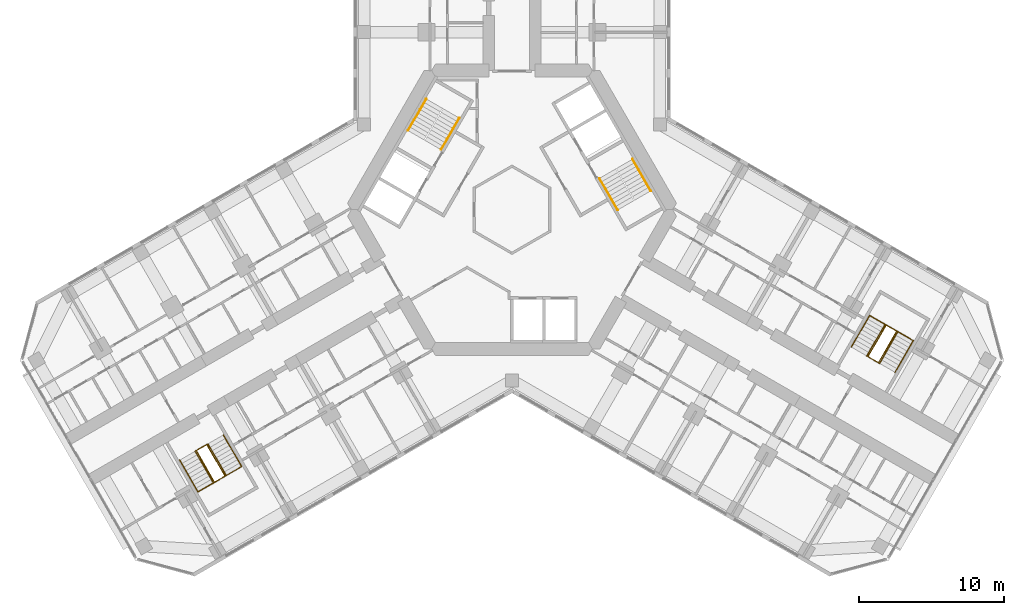
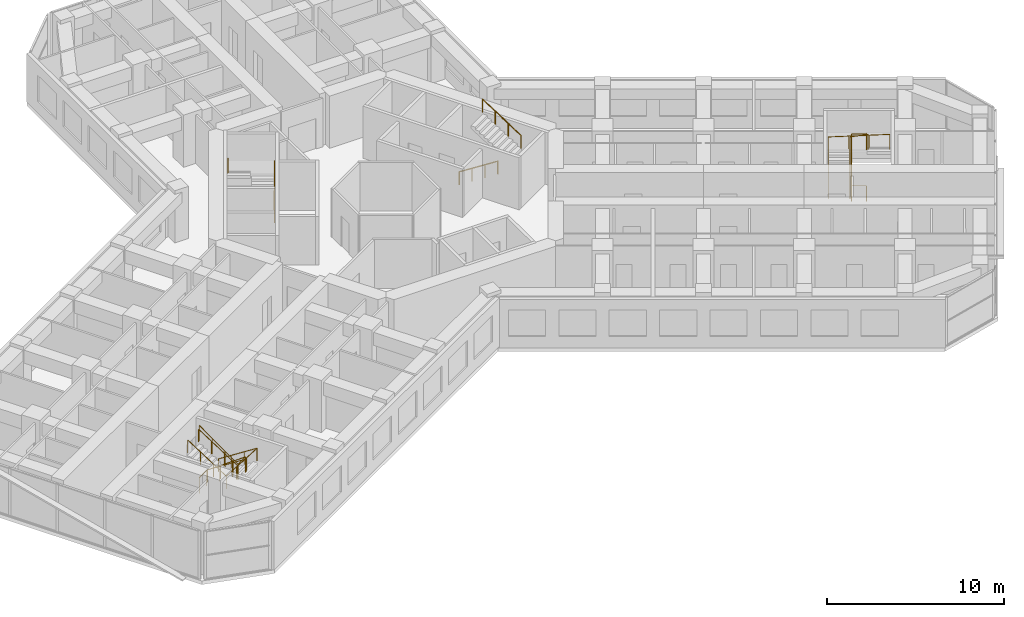
# One storey, part 19 of 19: 10 railings.
"""IFC4 building model written with IfcOpenShell, lengths in metres."""

from ifc_helpers import new_model, si_unit, direction, frame, origin, origin_2d, place, context, subcontext, project, spatial, circle, extrude, material, type_object, element, save


model = new_model("IFC4")

# Units and contexts
model_context = context("Model", 3, precision=1e-05, world=origin(), true_north=direction((0.0, 1.0)))
body_context = subcontext(model_context, "Body", "Model", "MODEL_VIEW")
ifc_project = project(units=[si_unit("LENGTHUNIT", "METRE"), si_unit("AREAUNIT", "SQUARE_METRE"), si_unit("VOLUMEUNIT", "CUBIC_METRE"), si_unit("PLANEANGLEUNIT", "RADIAN"), si_unit("MASSUNIT", "GRAM", prefix="KILO")], contexts=[model_context])

# Site, building, storey
site_placement = place(None, origin())
site = spatial("IfcSite", under=ifc_project, at=site_placement, CompositionType="ELEMENT")
building_placement = place(site_placement, origin())
building = spatial("IfcBuilding", under=site, at=building_placement, Name="Kosmar Iwan School Tower", CompositionType="ELEMENT")
storey_placement = place(building_placement, frame((0.0, 0.0, 158.0)))
storey = spatial("IfcBuildingStorey", under=building, at=storey_placement, Name="L39", CompositionType="ELEMENT", Elevation=158.0)

# Railings
ifc_material_1 = material(Name="Black steel", Category="steel")
railing_type_1 = type_object("IfcRailingType", Name="Stair handrail 900", PredefinedType="HANDRAIL", material=ifc_material_1)
railing_1_placement = place(storey_placement, frame((-4.89453125, 4.142333984375, 0.179931640625)))
element("IfcRailing", 1, at=railing_1_placement, inside=storey, type_object=railing_type_1, Name="Handrail ST2 flight 1", PredefinedType="HANDRAIL", context=body_context, shape_type="SweptSolid", body=[
    extrude(circle(Radius=0.02392578125, at=origin_2d()), frame((0.0, 0.0, 0.8759765625), z_axis=(0.420584145978, 0.728463801763, 0.540785970299), x_axis=(-0.866022637375, 0.500004791531, 0.0)), (0.0, 0.0, 1.0), 2.995849609375),
    extrude(circle(Radius=0.02099609375, at=origin_2d()), origin(), (0.0, 0.0, 1.0), 0.851806640625),
    extrude(circle(Radius=0.02099609375, at=origin_2d()), frame((0.419921875, 0.7275390625, 0.5400390625)), (0.0, 0.0, 1.0), 0.851806640625),
    extrude(circle(Radius=0.02099609375, at=origin_2d()), frame((0.840087890625, 1.454833984375, 1.080078125)), (0.0, 0.0, 1.0), 0.851806640625),
    extrude(circle(Radius=0.02099609375, at=origin_2d()), frame((1.260009765625, 2.182373046875, 1.6201171875)), (0.0, 0.0, 1.0), 0.851806640625),
])
railing_2_placement = place(storey_placement, frame((-5.912353515625, 7.6396484375, 1.97998046875)))
element("IfcRailing", 2, at=railing_2_placement, inside=storey, type_object=railing_type_1, Name="Handrail ST2 flight 2", PredefinedType="HANDRAIL", context=body_context, shape_type="SweptSolid", body=[
    extrude(circle(Radius=0.02392578125, at=origin_2d()), frame((0.0, 0.0, 0.8759765625), z_axis=(-0.420584145978, -0.728463801763, 0.540785970299), x_axis=(0.866022637375, -0.500004791531, 0.0)), (0.0, 0.0, 1.0), 2.995849609375),
    extrude(circle(Radius=0.02099609375, at=origin_2d()), origin(), (0.0, 0.0, 1.0), 0.851806640625),
    extrude(circle(Radius=0.02099609375, at=origin_2d()), frame((-0.419921875, -0.7275390625, 0.5400390625)), (0.0, 0.0, 1.0), 0.851806640625),
    extrude(circle(Radius=0.02099609375, at=origin_2d()), frame((-0.840087890625, -1.454833984375, 1.080078125)), (0.0, 0.0, 1.0), 0.851806640625),
    extrude(circle(Radius=0.02099609375, at=origin_2d()), frame((-1.260009765625, -2.182373046875, 1.6201171875)), (0.0, 0.0, 1.0), 0.851806640625),
])
railing_3_placement = place(storey_placement, frame((6.03466796875, 2.167724609375, 0.179931640625)))
element("IfcRailing", 3, at=railing_3_placement, inside=storey, type_object=railing_type_1, Name="Handrail ST1 flight 1", PredefinedType="HANDRAIL", context=body_context, shape_type="SweptSolid", body=[
    extrude(circle(Radius=0.02392578125, at=origin_2d()), frame((0.0, 0.0, 0.8759765625), z_axis=(0.420584145978, -0.728463801763, 0.540785970299), x_axis=(0.866022637375, 0.500004791531, 0.0)), (0.0, 0.0, 1.0), 2.995849609375),
    extrude(circle(Radius=0.02099609375, at=origin_2d()), origin(), (0.0, 0.0, 1.0), 0.851806640625),
    extrude(circle(Radius=0.02099609375, at=origin_2d()), frame((0.419921875, -0.7275390625, 0.5400390625)), (0.0, 0.0, 1.0), 0.851806640625),
    extrude(circle(Radius=0.02099609375, at=origin_2d()), frame((0.840087890625, -1.454833984375, 1.080078125)), (0.0, 0.0, 1.0), 0.851806640625),
    extrude(circle(Radius=0.02099609375, at=origin_2d()), frame((1.260009765625, -2.182373046875, 1.6201171875)), (0.0, 0.0, 1.0), 0.851806640625),
])
railing_4_placement = place(storey_placement, frame((9.572265625, 1.30029296875, 1.97998046875)))
element("IfcRailing", 4, at=railing_4_placement, inside=storey, type_object=railing_type_1, Name="Handrail ST1 flight 2", PredefinedType="HANDRAIL", context=body_context, shape_type="SweptSolid", body=[
    extrude(circle(Radius=0.02392578125, at=origin_2d()), frame((0.0, 0.0, 0.8759765625), z_axis=(-0.420584145978, 0.728463801763, 0.540785970299), x_axis=(-0.866022637375, -0.500004791531, 0.0)), (0.0, 0.0, 1.0), 2.995849609375),
    extrude(circle(Radius=0.02099609375, at=origin_2d()), origin(), (0.0, 0.0, 1.0), 0.851806640625),
    extrude(circle(Radius=0.02099609375, at=origin_2d()), frame((-0.419921875, 0.7275390625, 0.5400390625)), (0.0, 0.0, 1.0), 0.851806640625),
    extrude(circle(Radius=0.02099609375, at=origin_2d()), frame((-0.840087890625, 1.454833984375, 1.080078125)), (0.0, 0.0, 1.0), 0.851806640625),
    extrude(circle(Radius=0.02099609375, at=origin_2d()), frame((-1.260009765625, 2.182373046875, 1.6201171875)), (0.0, 0.0, 1.0), 0.851806640625),
])
railing_5_placement = place(storey_placement, frame((-19.9091796875, -15.5361328125, 0.179931640625)))
element("IfcRailing", 5, at=railing_5_placement, inside=storey, type_object=railing_type_1, Name="Handrail stair WS2 L39 wall side", PredefinedType="HANDRAIL", context=body_context, shape_type="SweptSolid", body=[
    extrude(circle(Radius=0.02392578125, at=origin_2d()), frame((0.0, 0.0, 0.8759765625), z_axis=(0.420517065106, -0.728488768407, 0.540804504659), x_axis=(0.866064587494, 0.499932125682, 0.0)), (0.0, 0.0, 1.0), 2.995849609375),
    extrude(circle(Radius=0.02392578125, at=origin_2d()), frame((1.259765625, -2.182373046875, 2.49609375), z_axis=(-0.864864352349, -0.499342858003, 0.051636829851), x_axis=(0.500009906705, -0.86601968407, 0.0)), (0.0, 0.0, 1.0), 3.484619140625),
    extrude(circle(Radius=0.02392578125, at=origin_2d()), frame((-1.75390625, -3.92236328125, 2.67578125), z_axis=(-0.420584145978, 0.728463801763, 0.540785970299), x_axis=(-0.866022637375, -0.500004791531, 0.0)), (0.0, 0.0, 1.0), 2.995849609375),
    extrude(circle(Radius=0.02099609375, at=origin_2d()), origin(), (0.0, 0.0, 1.0), 0.851806640625),
    extrude(circle(Radius=0.02099609375, at=origin_2d()), frame((0.419921875, -0.7275390625, 0.5400390625)), (0.0, 0.0, 1.0), 0.851806640625),
    extrude(circle(Radius=0.02099609375, at=origin_2d()), frame((0.83984375, -1.454833984375, 1.080078125)), (0.0, 0.0, 1.0), 0.851806640625),
    extrude(circle(Radius=0.02099609375, at=origin_2d()), frame((1.259765625, -2.182373046875, 1.6201171875)), (0.0, 0.0, 1.0), 0.851806640625),
    extrude(circle(Radius=0.02099609375, at=origin_2d()), frame((0.255126953125, -2.762451171875, 1.68017578125)), (0.0, 0.0, 1.0), 0.851806640625),
    extrude(circle(Radius=0.02099609375, at=origin_2d()), frame((-0.749267578125, -3.34228515625, 1.739990234375)), (0.0, 0.0, 1.0), 0.851806640625),
    extrude(circle(Radius=0.02099609375, at=origin_2d()), frame((-1.75390625, -3.92236328125, 1.800048828125)), (0.0, 0.0, 1.0), 0.851806640625),
    extrude(circle(Radius=0.02099609375, at=origin_2d()), frame((-2.173828125, -3.19482421875, 2.340087890625)), (0.0, 0.0, 1.0), 0.851806640625),
    extrude(circle(Radius=0.02099609375, at=origin_2d()), frame((-2.593994140625, -2.467529296875, 2.880126953125)), (0.0, 0.0, 1.0), 0.851806640625),
    extrude(circle(Radius=0.02099609375, at=origin_2d()), frame((-3.013916015625, -1.739990234375, 3.420166015625)), (0.0, 0.0, 1.0), 0.851806640625),
])
railing_6_placement = place(storey_placement, frame((-20.974609375, -16.151123046875, 0.179931640625)))
element("IfcRailing", 6, at=railing_6_placement, inside=storey, type_object=railing_type_1, Name="Handrail stair WS2 L39 well side", PredefinedType="HANDRAIL", context=body_context, shape_type="SweptSolid", body=[
    extrude(circle(Radius=0.02392578125, at=origin_2d()), frame((0.0, 0.0, 0.8759765625), z_axis=(0.420584145978, -0.728463801763, 0.540785970299), x_axis=(0.866022637375, 0.500004791531, 0.0)), (0.0, 0.0, 1.0), 2.995849609375),
    extrude(circle(Radius=0.02392578125, at=origin_2d()), frame((1.260009765625, -2.182373046875, 2.49609375), z_axis=(-0.852841519511, -0.492422867401, 0.173726976197), x_axis=(0.500026340207, -0.866010195725, 0.0)), (0.0, 0.0, 1.0), 1.03564453125),
    extrude(circle(Radius=0.02392578125, at=origin_2d()), frame((0.376708984375, -2.6923828125, 2.67578125), z_axis=(-0.420584145978, 0.728463801763, 0.540785970299), x_axis=(-0.866022637375, -0.500004791531, 0.0)), (0.0, 0.0, 1.0), 2.995849609375),
    extrude(circle(Radius=0.02099609375, at=origin_2d()), origin(), (0.0, 0.0, 1.0), 0.851806640625),
    extrude(circle(Radius=0.02099609375, at=origin_2d()), frame((0.419921875, -0.7275390625, 0.5400390625)), (0.0, 0.0, 1.0), 0.851806640625),
    extrude(circle(Radius=0.02099609375, at=origin_2d()), frame((0.840087890625, -1.454833984375, 1.080078125)), (0.0, 0.0, 1.0), 0.851806640625),
    extrude(circle(Radius=0.02099609375, at=origin_2d()), frame((1.260009765625, -2.182373046875, 1.6201171875)), (0.0, 0.0, 1.0), 0.851806640625),
    extrude(circle(Radius=0.02099609375, at=origin_2d()), frame((0.376708984375, -2.6923828125, 1.800048828125)), (0.0, 0.0, 1.0), 0.851806640625),
    extrude(circle(Radius=0.02099609375, at=origin_2d()), frame((-0.043212890625, -1.96484375, 2.340087890625)), (0.0, 0.0, 1.0), 0.851806640625),
    extrude(circle(Radius=0.02099609375, at=origin_2d()), frame((-0.46337890625, -1.237548828125, 2.880126953125)), (0.0, 0.0, 1.0), 0.851806640625),
    extrude(circle(Radius=0.02099609375, at=origin_2d()), frame((-0.88330078125, -0.510009765625, 3.420166015625)), (0.0, 0.0, 1.0), 0.851806640625),
])
railing_7_placement = place(storey_placement, frame((23.4091796875, -9.473876953125, 0.179931640625)))
element("IfcRailing", 7, at=railing_7_placement, inside=storey, type_object=railing_type_1, Name="Handrail stair WS3 L39 wall side", PredefinedType="HANDRAIL", context=body_context, shape_type="SweptSolid", body=[
    extrude(circle(Radius=0.02392578125, at=origin_2d()), frame((0.0, 0.0, 0.8759765625), z_axis=(0.420584145978, 0.728463801763, 0.540785970299), x_axis=(-0.866022637375, 0.500004791531, 0.0)), (0.0, 0.0, 1.0), 2.995849609375),
    extrude(circle(Radius=0.02392578125, at=origin_2d()), frame((1.260009765625, 2.182373046875, 2.49609375), z_axis=(0.864882007433, -0.499312601618, 0.051633701051), x_axis=(0.499979528911, 0.866037222451, 0.0)), (0.0, 0.0, 1.0), 3.48486328125),
    extrude(circle(Radius=0.02392578125, at=origin_2d()), frame((4.27392578125, 0.4423828125, 2.67578125), z_axis=(-0.420584145978, -0.728463801763, 0.540785970299), x_axis=(0.866022637375, -0.500004791531, 0.0)), (0.0, 0.0, 1.0), 2.995849609375),
    extrude(circle(Radius=0.02099609375, at=origin_2d()), origin(), (0.0, 0.0, 1.0), 0.851806640625),
    extrude(circle(Radius=0.02099609375, at=origin_2d()), frame((0.419921875, 0.7275390625, 0.5400390625)), (0.0, 0.0, 1.0), 0.851806640625),
    extrude(circle(Radius=0.02099609375, at=origin_2d()), frame((0.840087890625, 1.454833984375, 1.080078125)), (0.0, 0.0, 1.0), 0.851806640625),
    extrude(circle(Radius=0.02099609375, at=origin_2d()), frame((1.260009765625, 2.182373046875, 1.6201171875)), (0.0, 0.0, 1.0), 0.851806640625),
    extrude(circle(Radius=0.02099609375, at=origin_2d()), frame((2.2646484375, 1.602294921875, 1.68017578125)), (0.0, 0.0, 1.0), 0.851806640625),
    extrude(circle(Radius=0.02099609375, at=origin_2d()), frame((3.269287109375, 1.0224609375, 1.739990234375)), (0.0, 0.0, 1.0), 0.851806640625),
    extrude(circle(Radius=0.02099609375, at=origin_2d()), frame((4.27392578125, 0.4423828125, 1.800048828125)), (0.0, 0.0, 1.0), 0.851806640625),
    extrude(circle(Radius=0.02099609375, at=origin_2d()), frame((3.85400390625, -0.28515625, 2.340087890625)), (0.0, 0.0, 1.0), 0.851806640625),
    extrude(circle(Radius=0.02099609375, at=origin_2d()), frame((3.433837890625, -1.012451171875, 2.880126953125)), (0.0, 0.0, 1.0), 0.851806640625),
    extrude(circle(Radius=0.02099609375, at=origin_2d()), frame((3.013916015625, -1.739990234375, 3.420166015625)), (0.0, 0.0, 1.0), 0.851806640625),
])
railing_8_placement = place(storey_placement, frame((24.474609375, -10.0888671875, 0.179931640625)))
element("IfcRailing", 8, at=railing_8_placement, inside=storey, type_object=railing_type_1, Name="Handrail stair WS3 L39 well side", PredefinedType="HANDRAIL", context=body_context, shape_type="SweptSolid", body=[
    extrude(circle(Radius=0.02392578125, at=origin_2d()), frame((0.0, 0.0, 0.8759765625), z_axis=(0.420584145978, 0.728463801763, 0.540785970299), x_axis=(-0.866022637375, 0.500004791531, 0.0)), (0.0, 0.0, 1.0), 2.995849609375),
    extrude(circle(Radius=0.02392578125, at=origin_2d()), frame((1.260009765625, 2.182373046875, 2.49609375), z_axis=(0.852841519511, -0.492422867401, 0.173726976197), x_axis=(0.500026340207, 0.866010195725, 0.0)), (0.0, 0.0, 1.0), 1.03564453125),
    extrude(circle(Radius=0.02392578125, at=origin_2d()), frame((2.143310546875, 1.67236328125, 2.67578125), z_axis=(-0.420584145978, -0.728463801763, 0.540785970299), x_axis=(0.866022637375, -0.500004791531, 0.0)), (0.0, 0.0, 1.0), 2.995849609375),
    extrude(circle(Radius=0.02099609375, at=origin_2d()), origin(), (0.0, 0.0, 1.0), 0.851806640625),
    extrude(circle(Radius=0.02099609375, at=origin_2d()), frame((0.419921875, 0.7275390625, 0.5400390625)), (0.0, 0.0, 1.0), 0.851806640625),
    extrude(circle(Radius=0.02099609375, at=origin_2d()), frame((0.840087890625, 1.454833984375, 1.080078125)), (0.0, 0.0, 1.0), 0.851806640625),
    extrude(circle(Radius=0.02099609375, at=origin_2d()), frame((1.260009765625, 2.182373046875, 1.6201171875)), (0.0, 0.0, 1.0), 0.851806640625),
    extrude(circle(Radius=0.02099609375, at=origin_2d()), frame((2.143310546875, 1.67236328125, 1.800048828125)), (0.0, 0.0, 1.0), 0.851806640625),
    extrude(circle(Radius=0.02099609375, at=origin_2d()), frame((1.723388671875, 0.94482421875, 2.340087890625)), (0.0, 0.0, 1.0), 0.851806640625),
    extrude(circle(Radius=0.02099609375, at=origin_2d()), frame((1.30322265625, 0.217529296875, 2.880126953125)), (0.0, 0.0, 1.0), 0.851806640625),
    extrude(circle(Radius=0.02099609375, at=origin_2d()), frame((0.88330078125, -0.510009765625, 3.420166015625)), (0.0, 0.0, 1.0), 0.851806640625),
])
ifc_material_2 = material(Name="Black steel", Category="steel")
railing_type_2 = type_object("IfcRailingType", Name="Stair well guard 1100", PredefinedType="GUARDRAIL", material=ifc_material_2)
railing_9_placement = place(storey_placement, frame((-21.780029296875, -16.6162109375, 0.0)))
element("IfcRailing", 9, at=railing_9_placement, inside=storey, type_object=railing_type_2, Name="Stair WS2 L39 well guard", PredefinedType="GUARDRAIL", context=body_context, shape_type="SweptSolid", body=[
    extrude(circle(Radius=0.02392578125, at=origin_2d()), frame((0.0, 0.0, 1.076171875), z_axis=(0.865962960534, 0.500108139288, 0.0), x_axis=(-0.500108139288, 0.865962960534, 0.0)), (0.0, 0.0, 1.0), 0.840087890625),
    extrude(circle(Radius=0.02392578125, at=origin_2d()), frame((0.7275390625, 0.420166015625, 1.076171875), z_axis=(0.40686665399, -0.704704712268, 0.58124933925), x_axis=(0.866022637375, 0.500004791531, 0.0)), (0.0, 0.0, 1.0), 3.096923828125),
    extrude(circle(Radius=0.02392578125, at=origin_2d()), frame((1.987548828125, -1.76220703125, 2.8759765625), z_axis=(-0.865962960534, -0.500108139288, 0.0), x_axis=(0.500108139288, -0.865962960534, 0.0)), (0.0, 0.0, 1.0), 0.840087890625),
    extrude(circle(Radius=0.02392578125, at=origin_2d()), frame((1.260009765625, -2.182373046875, 2.8759765625), z_axis=(-0.40686665399, 0.704704712268, 0.58124933925), x_axis=(-0.866022637375, -0.500004791531, 0.0)), (0.0, 0.0, 1.0), 3.096923828125),
    extrude(circle(Radius=0.02099609375, at=origin_2d()), origin(), (0.0, 0.0, 1.0), 1.052001953125),
    extrude(circle(Radius=0.02099609375, at=origin_2d()), frame((0.7275390625, 0.420166015625, 0.0)), (0.0, 0.0, 1.0), 1.052001953125),
    extrude(circle(Radius=0.02099609375, at=origin_2d()), frame((1.1474609375, -0.307373046875, 0.60009765625)), (0.0, 0.0, 1.0), 1.052001953125),
    extrude(circle(Radius=0.02099609375, at=origin_2d()), frame((1.567626953125, -1.03466796875, 1.199951171875)), (0.0, 0.0, 1.0), 1.052001953125),
    extrude(circle(Radius=0.02099609375, at=origin_2d()), frame((1.987548828125, -1.76220703125, 1.800048828125)), (0.0, 0.0, 1.0), 1.052001953125),
    extrude(circle(Radius=0.02099609375, at=origin_2d()), frame((1.260009765625, -2.182373046875, 1.800048828125)), (0.0, 0.0, 1.0), 1.052001953125),
    extrude(circle(Radius=0.02099609375, at=origin_2d()), frame((0.840087890625, -1.454833984375, 2.400146484375)), (0.0, 0.0, 1.0), 1.052001953125),
    extrude(circle(Radius=0.02099609375, at=origin_2d()), frame((0.419921875, -0.7275390625, 3.0)), (0.0, 0.0, 1.0), 1.052001953125),
    extrude(circle(Radius=0.02099609375, at=origin_2d()), frame((0.0, 0.0, 3.60009765625)), (0.0, 0.0, 1.0), 1.052001953125),
])
railing_10_placement = place(storey_placement, frame((25.280029296875, -10.553955078125, 0.0)))
element("IfcRailing", 10, at=railing_10_placement, inside=storey, type_object=railing_type_2, Name="Stair WS3 L39 well guard", PredefinedType="GUARDRAIL", context=body_context, shape_type="SweptSolid", body=[
    extrude(circle(Radius=0.02392578125, at=origin_2d()), frame((0.0, 0.0, 1.076171875), z_axis=(-0.865962960534, 0.500108139288, 0.0), x_axis=(-0.500108139288, -0.865962960534, 0.0)), (0.0, 0.0, 1.0), 0.840087890625),
    extrude(circle(Radius=0.02392578125, at=origin_2d()), frame((-0.7275390625, 0.420166015625, 1.076171875), z_axis=(0.40686665399, 0.704704712268, 0.58124933925), x_axis=(-0.866022637375, 0.500004791531, 0.0)), (0.0, 0.0, 1.0), 3.096923828125),
    extrude(circle(Radius=0.02392578125, at=origin_2d()), frame((0.532470703125, 2.6025390625, 2.8759765625), z_axis=(0.865890253765, -0.500234013672, 0.0), x_axis=(0.500234013672, 0.865890253765, 0.0)), (0.0, 0.0, 1.0), 0.83984375),
    extrude(circle(Radius=0.02392578125, at=origin_2d()), frame((1.259765625, 2.182373046875, 2.8759765625), z_axis=(-0.406800866334, -0.70472731476, 0.58126798207), x_axis=(0.866064587494, -0.499932125682, 0.0)), (0.0, 0.0, 1.0), 3.0966796875),
    extrude(circle(Radius=0.02099609375, at=origin_2d()), origin(), (0.0, 0.0, 1.0), 1.052001953125),
    extrude(circle(Radius=0.02099609375, at=origin_2d()), frame((-0.7275390625, 0.420166015625, 0.0)), (0.0, 0.0, 1.0), 1.052001953125),
    extrude(circle(Radius=0.02099609375, at=origin_2d()), frame((-0.3076171875, 1.147705078125, 0.60009765625)), (0.0, 0.0, 1.0), 1.052001953125),
    extrude(circle(Radius=0.02099609375, at=origin_2d()), frame((0.112548828125, 1.875, 1.199951171875)), (0.0, 0.0, 1.0), 1.052001953125),
    extrude(circle(Radius=0.02099609375, at=origin_2d()), frame((0.532470703125, 2.6025390625, 1.800048828125)), (0.0, 0.0, 1.0), 1.052001953125),
    extrude(circle(Radius=0.02099609375, at=origin_2d()), frame((1.259765625, 2.182373046875, 1.800048828125)), (0.0, 0.0, 1.0), 1.052001953125),
    extrude(circle(Radius=0.02099609375, at=origin_2d()), frame((0.83984375, 1.454833984375, 2.400146484375)), (0.0, 0.0, 1.0), 1.052001953125),
    extrude(circle(Radius=0.02099609375, at=origin_2d()), frame((0.419921875, 0.7275390625, 3.0)), (0.0, 0.0, 1.0), 1.052001953125),
    extrude(circle(Radius=0.02099609375, at=origin_2d()), frame((0.0, 0.0, 3.60009765625)), (0.0, 0.0, 1.0), 1.052001953125),
])

save(model, "model.ifc")
